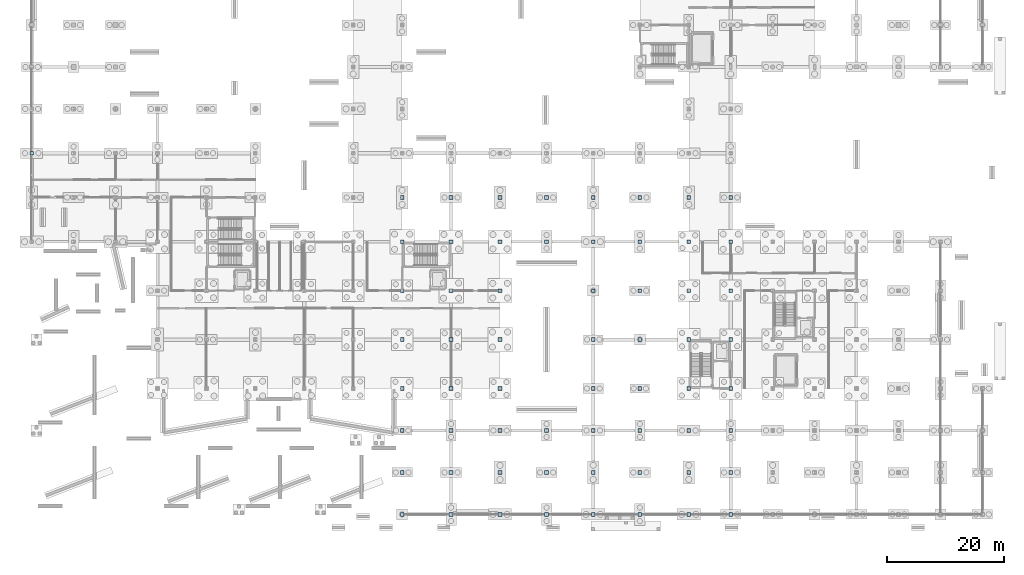
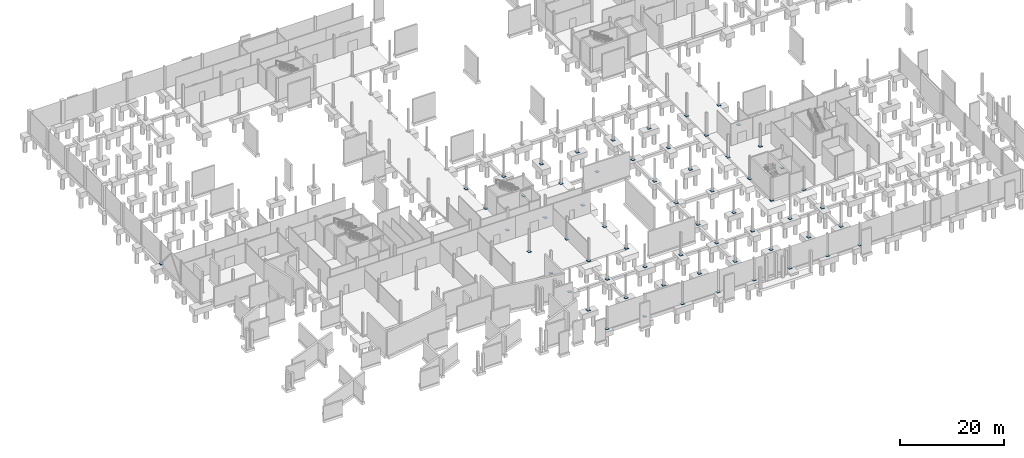
# One storey, part 36 of 61: 62 plates.
"""IFC4 building model written with IfcOpenShell, lengths in metres."""

from ifc_helpers import new_model, si_unit, direction, frame, origin, origin_2d, place, context, subcontext, project, spatial, rectangle, extrude, material, layer, layer_set, type_object, element, save


model = new_model("IFC4")

# Units and contexts
model_context = context("Model", 3, precision=1e-05, world=origin(), true_north=direction((0.0, 1.0)))
body_context = subcontext(model_context, "Body", "Model", "MODEL_VIEW")
ifc_project = project(units=[si_unit("LENGTHUNIT", "METRE"), si_unit("AREAUNIT", "SQUARE_METRE"), si_unit("VOLUMEUNIT", "CUBIC_METRE"), si_unit("PLANEANGLEUNIT", "RADIAN"), si_unit("MASSUNIT", "GRAM", prefix="KILO")], contexts=[model_context])

# Site, building, storey
site_placement = place(None, origin())
site = spatial("IfcSite", under=ifc_project, at=site_placement, CompositionType="ELEMENT")
building_placement = place(site_placement, origin())
building = spatial("IfcBuilding", under=site, at=building_placement, Name="Calvrana Isthmian Art Gallery", CompositionType="ELEMENT")
storey_placement = place(building_placement, frame((0.0, 0.0, -5.39990234375)))
storey = spatial("IfcBuildingStorey", under=building, at=storey_placement, Name="B1", CompositionType="ELEMENT", Elevation=-5.39990234375)

# Plates
ifc_material = material(Name="Steel ASTM A572 Gr 50", Category="steel")
ifc_layer_1 = layer(ifc_material, 0.0380859375, Name="Steel ASTM A572 Gr 50")
ifc_layer_set_1 = layer_set([ifc_layer_1], Name="Steel ASTM A572 Gr 50")
plate_type_1 = type_object("IfcPlateType", Name="PL-BASE-38", PredefinedType="USERDEFINED", material=ifc_layer_set_1)
for number, where, z_axis, x_axis, name in (
    (1, (0.0, 62.0, -0.000244140625), (0.0, 0.0, 1.0), (1.0, 0.0, 0.0), "Base plate 01/I"),
    (2, (63.60009765625, 0.0, -0.000244140625), (0.0, 0.0, 1.0), (1.0, 0.0, 0.0), "Base plate 09/A"),
    (3, (63.60009765625, 7.199951171875, -0.000244140625), (0.0, 0.0, 1.0), (1.0, 0.0, 0.0), "Base plate 09/B"),
    (4, (63.60009765625, 14.39990234375, -0.000244140625), (0.0, 0.0, 1.0), (1.0, 0.0, 0.0), "Base plate 09/C"),
    (5, (63.60009765625, 54.39990234375, -0.000244140625), (0.0, 0.0, 1.0), (1.0, 0.0, 0.0), "Base plate 09/H"),
    (6, (72.0, 0.0, -0.000244140625), (0.0, 0.0, 1.0), (1.0, 0.0, 0.0), "Base plate 10/A"),
    (7, (72.0, 7.199951171875, -0.000244140625), (0.0, 0.0, 1.0), (1.0, 0.0, 0.0), "Base plate 10/B"),
    (8, (72.0, 14.39990234375, -0.000244140625), (0.0, 0.0, 1.0), (1.0, 0.0, 0.0), "Base plate 10/C"),
    (9, (72.0, 54.39990234375, -0.000244140625), (0.0, 0.0, 1.0), (1.0, 0.0, 0.0), "Base plate 10/H"),
    (10, (80.39990234375, 0.0, -0.000244140625), (0.0, 0.0, 1.0), (1.0, 0.0, 0.0), "Base plate 11/A"),
    (11, (80.39990234375, 7.199951171875, -0.000244140625), (0.0, 0.0, 1.0), (1.0, 0.0, 0.0), "Base plate 11/B"),
    (12, (80.39990234375, 14.39990234375, -0.000244140625), (0.0, 0.0, 1.0), (1.0, 0.0, 0.0), "Base plate 11/C"),
    (13, (80.39990234375, 54.39990234375, -0.000244140625), (0.0, 0.0, 1.0), (1.0, 0.0, 0.0), "Base plate 11/H"),
    (14, (88.39990234375, 0.0, -0.000244140625), (0.0, 0.0, 1.0), (1.0, 0.0, 0.0), "Base plate 12/A"),
    (15, (88.39990234375, 7.199951171875, -0.000244140625), (0.0, 0.0, 1.0), (1.0, 0.0, 0.0), "Base plate 12/B"),
    (16, (88.39990234375, 14.39990234375, -0.000244140625), (0.0, 0.0, 1.0), (1.0, 0.0, 0.0), "Base plate 12/C"),
    (17, (88.39990234375, 46.800048828125, -0.000244140625), (0.0, 0.0, 1.0), (1.0, 0.0, 0.0), "Base plate 12/G"),
    (18, (88.39990234375, 54.39990234375, -0.000244140625), (0.0, 0.0, 1.0), (1.0, 0.0, 0.0), "Base plate 12/H"),
    (19, (96.39990234375, 0.0, -0.000244140625), (0.0, 0.0, 1.0), (1.0, 0.0, 0.0), "Base plate 13/A"),
    (20, (96.39990234375, 7.199951171875, -0.000244140625), (0.0, 0.0, 1.0), (1.0, 0.0, 0.0), "Base plate 13/B"),
    (21, (96.39990234375, 14.39990234375, -0.000244140625), (0.0, 0.0, 1.0), (1.0, 0.0, 0.0), "Base plate 13/C"),
    (22, (96.39990234375, 21.60009765625, -0.000244140625), (0.0, 0.0, 1.0), (1.0, 0.0, 0.0), "Base plate 13/D"),
    (23, (96.39990234375, 30.0, -0.000244140625), (0.0, 0.0, 1.0), (1.0, 0.0, 0.0), "Base plate 13/E"),
    (24, (96.39990234375, 38.39990234375, -0.000244140625), (0.0, 0.0, 1.0), (1.0, 0.0, 0.0), "Base plate 13/F"),
    (25, (96.39990234375, 46.800048828125, -0.000244140625), (0.0, 0.0, 1.0), (1.0, 0.0, 0.0), "Base plate 13/G"),
    (26, (96.39990234375, 54.39990234375, -0.000244140625), (0.0, 0.0, 1.0), (1.0, 0.0, 0.0), "Base plate 13/H"),
    (27, (104.39990234375, 0.0, -0.000244140625), (0.0, 0.0, 1.0), (1.0, 0.0, 0.0), "Base plate 14/A"),
    (28, (104.39990234375, 7.199951171875, -0.000244140625), (0.0, 0.0, 1.0), (1.0, 0.0, 0.0), "Base plate 14/B"),
    (29, (104.39990234375, 14.39990234375, -0.000244140625), (0.0, 0.0, 1.0), (1.0, 0.0, 0.0), "Base plate 14/C"),
    (30, (104.39990234375, 21.60009765625, -0.000244140625), (0.0, 0.0, 1.0), (1.0, 0.0, 0.0), "Base plate 14/D"),
    (31, (104.39990234375, 30.0, -0.000244140625), (0.0, 0.0, 1.0), (1.0, 0.0, 0.0), "Base plate 14/E"),
    (32, (104.39990234375, 38.39990234375, -0.000244140625), (0.0, 0.0, 1.0), (1.0, 0.0, 0.0), "Base plate 14/F"),
    (33, (104.39990234375, 46.800048828125, -0.000244140625), (0.0, 0.0, 1.0), (1.0, 0.0, 0.0), "Base plate 14/G"),
    (34, (104.39990234375, 54.39990234375, -0.000244140625), (0.0, 0.0, 1.0), (1.0, 0.0, 0.0), "Base plate 14/H"),
    (35, (112.800048828125, 0.0, -0.000244140625), (0.0, 0.0, 1.0), (1.0, 0.0, 0.0), "Base plate 15/A"),
    (36, (112.800048828125, 7.199951171875, -0.000244140625), (0.0, 0.0, 1.0), (1.0, 0.0, 0.0), "Base plate 15/B"),
    (37, (120.0, 0.0, -0.000244140625), (0.0, 0.0, 1.0), (1.0, 0.0, 0.0), "Base plate 16/A"),
    (38, (120.0, 7.199951171875, -0.000244140625), (0.0, 0.0, 1.0), (1.0, 0.0, 0.0), "Base plate 16/B"),
):
    element("IfcPlate", number, at=place(storey_placement, frame(where, z_axis=z_axis, x_axis=x_axis)), inside=storey, type_object=plate_type_1, Name=name, ObjectType="BASE PLATE", PredefinedType="USERDEFINED", context=body_context, shape_type="SweptSolid", body=[
        extrude(rectangle(XDim=0.64990234375, YDim=0.64990234375, at=origin_2d()), origin(), (0.0, 0.0, 1.0), 0.0380859375),
    ])
ifc_layer_2 = layer(ifc_material, 0.044921875, Name="Steel ASTM A572 Gr 50")
ifc_layer_set_2 = layer_set([ifc_layer_2], Name="Steel ASTM A572 Gr 50")
plate_type_2 = type_object("IfcPlateType", Name="PL-BASE-45", PredefinedType="USERDEFINED", material=ifc_layer_set_2)
for number, where, z_axis, x_axis, name in (
    (39, (63.60009765625, 21.60009765625, 0.0), (0.0, 0.0, 1.0), (1.0, 0.0, 0.0), "Base plate 09/D"),
    (40, (63.60009765625, 30.0, 0.0), (0.0, 0.0, 1.0), (1.0, 0.0, 0.0), "Base plate 09/E"),
    (41, (63.60009765625, 38.39990234375, 0.0), (0.0, 0.0, 1.0), (1.0, 0.0, 0.0), "Base plate 09/F"),
    (42, (63.60009765625, 46.800048828125, 0.0), (0.0, 0.0, 1.0), (1.0, 0.0, 0.0), "Base plate 09/G"),
    (43, (72.0, 21.60009765625, 0.0), (0.0, 0.0, 1.0), (1.0, 0.0, 0.0), "Base plate 10/D"),
    (44, (72.0, 30.0, 0.0), (0.0, 0.0, 1.0), (1.0, 0.0, 0.0), "Base plate 10/E"),
    (45, (72.0, 38.39990234375, 0.0), (0.0, 0.0, 1.0), (1.0, 0.0, 0.0), "Base plate 10/F"),
    (46, (72.0, 46.800048828125, 0.0), (0.0, 0.0, 1.0), (1.0, 0.0, 0.0), "Base plate 10/G"),
    (47, (80.39990234375, 21.60009765625, 0.0), (0.0, 0.0, 1.0), (1.0, 0.0, 0.0), "Base plate 11/D"),
    (48, (80.39990234375, 30.0, 0.0), (0.0, 0.0, 1.0), (1.0, 0.0, 0.0), "Base plate 11/E"),
    (49, (80.39990234375, 38.39990234375, 0.0), (0.0, 0.0, 1.0), (1.0, 0.0, 0.0), "Base plate 11/F"),
    (50, (80.39990234375, 46.800048828125, 0.0), (0.0, 0.0, 1.0), (1.0, 0.0, 0.0), "Base plate 11/G"),
    (51, (112.800048828125, 14.39990234375, 0.0), (0.0, 0.0, 1.0), (1.0, 0.0, 0.0), "Base plate 15/C"),
    (52, (112.800048828125, 21.60009765625, 0.0), (0.0, 0.0, 1.0), (1.0, 0.0, 0.0), "Base plate 15/D"),
    (53, (112.800048828125, 30.0, 0.0), (0.0, 0.0, 1.0), (1.0, 0.0, 0.0), "Base plate 15/E"),
    (54, (112.800048828125, 38.39990234375, 0.0), (0.0, 0.0, 1.0), (1.0, 0.0, 0.0), "Base plate 15/F"),
    (55, (112.800048828125, 46.800048828125, 0.0), (0.0, 0.0, 1.0), (1.0, 0.0, 0.0), "Base plate 15/G"),
    (56, (112.800048828125, 54.39990234375, 0.0), (0.0, 0.0, 1.0), (1.0, 0.0, 0.0), "Base plate 15/H"),
    (57, (120.0, 14.39990234375, 0.0), (0.0, 0.0, 1.0), (1.0, 0.0, 0.0), "Base plate 16/C"),
    (58, (120.0, 21.60009765625, 0.0), (0.0, 0.0, 1.0), (1.0, 0.0, 0.0), "Base plate 16/D"),
    (59, (120.0, 30.0, 0.0), (0.0, 0.0, 1.0), (1.0, 0.0, 0.0), "Base plate 16/E"),
    (60, (120.0, 38.39990234375, 0.0), (0.0, 0.0, 1.0), (1.0, 0.0, 0.0), "Base plate 16/F"),
    (61, (120.0, 46.800048828125, 0.0), (0.0, 0.0, 1.0), (1.0, 0.0, 0.0), "Base plate 16/G"),
    (62, (120.0, 54.39990234375, 0.0), (0.0, 0.0, 1.0), (1.0, 0.0, 0.0), "Base plate 16/H"),
):
    element("IfcPlate", number, at=place(storey_placement, frame(where, z_axis=z_axis, x_axis=x_axis)), inside=storey, type_object=plate_type_2, Name=name, ObjectType="BASE PLATE", PredefinedType="USERDEFINED", context=body_context, shape_type="SweptSolid", body=[
        extrude(rectangle(XDim=0.64990234375, YDim=0.64990234375, at=origin_2d()), origin(), (0.0, 0.0, 1.0), 0.044921875),
    ])

save(model, "model.ifc")
